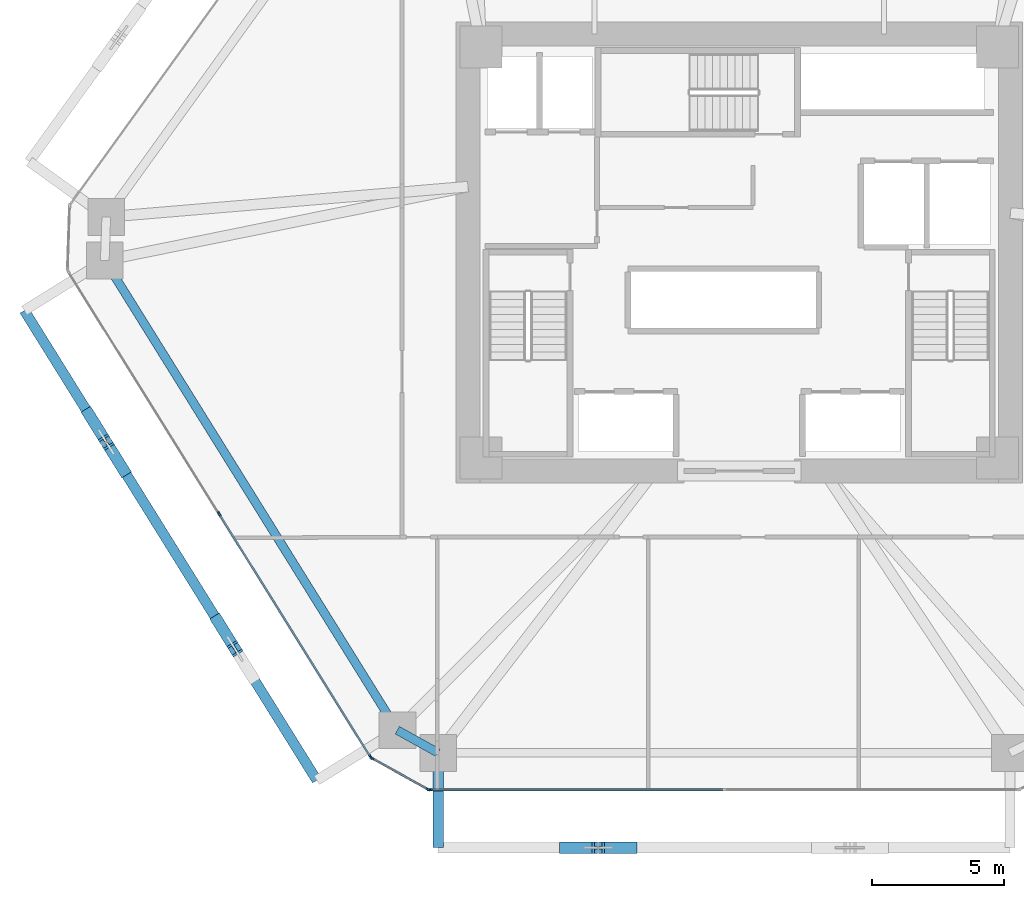
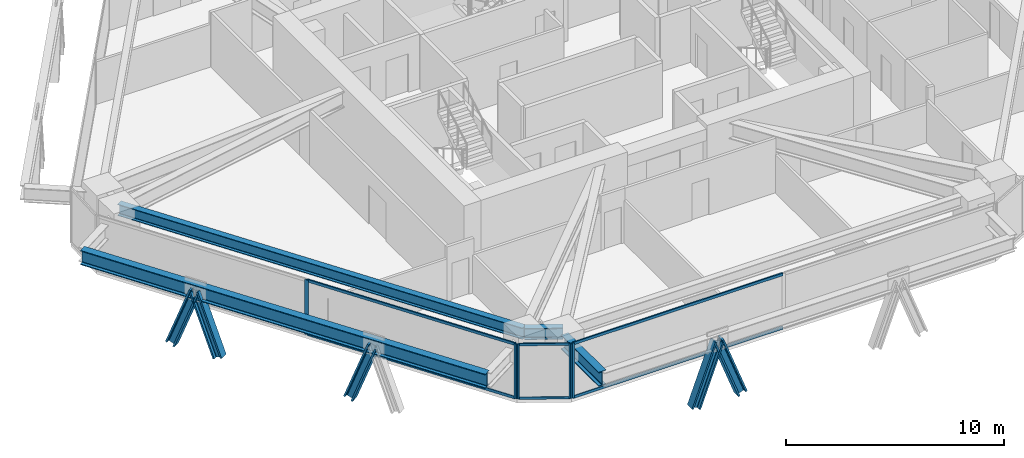
# One storey, part 2 of 17: 16 members, 4 beams, 3 elements without a shape of their own.
"""IFC4 building model written with IfcOpenShell, lengths in metres."""

from ifc_helpers import new_model, si_unit, direction, frame, origin, origin_2d, place, context, subcontext, project, spatial, rectangle, i_section, extrude, source, transform, mapped, material, layer, layer_set, material_profile, profile_set, type_object, type_shapes, element, aggregate, save


model = new_model("IFC4")

# Units and contexts
model_context = context("Model", 3, precision=1e-05, world=origin(), true_north=direction((0.0, 1.0)))
body_context = subcontext(model_context, "Body", "Model", "MODEL_VIEW")
ifc_project = project(units=[si_unit("LENGTHUNIT", "METRE"), si_unit("AREAUNIT", "SQUARE_METRE"), si_unit("VOLUMEUNIT", "CUBIC_METRE"), si_unit("PLANEANGLEUNIT", "RADIAN"), si_unit("MASSUNIT", "GRAM", prefix="KILO")], contexts=[model_context])

# Site, building, storey
site_placement = place(None, origin())
site = spatial("IfcSite", under=ifc_project, at=site_placement, CompositionType="ELEMENT")
building_placement = place(site_placement, origin())
building = spatial("IfcBuilding", under=site, at=building_placement, Name="Durnholm Broadcast Tower", CompositionType="ELEMENT")
storey_placement = place(building_placement, frame((0.0, 0.0, 58.800048828125)))
storey = spatial("IfcBuildingStorey", under=building, at=storey_placement, Name="L14", CompositionType="ELEMENT", Elevation=58.800048828125)

# Beams
ifc_material_1 = material(Name="Steel ASTM A992 Grade 50", Category="steel")
ifc_material_profile_1 = material_profile(ifc_material_1, i_section(OverallWidth=0.3291015625, OverallDepth=0.635009765625, WebThickness=0.017822265625, FlangeThickness=0.031005859375, FilletRadius=0.02783203125, at=origin_2d()), Name="W24X162")
ifc_profile_set_1 = profile_set([ifc_material_profile_1], Name="Steel ASTM A992 Grade 50")
beam_type_1 = type_object("IfcBeamType", Name="STL-SP-W24X162", PredefinedType="SPANDREL", material=ifc_profile_set_1)
shared_shape_1 = source(origin(), body_context, "Body", "SweptSolid", [
    extrude(i_section(OverallWidth=0.3291015625, OverallDepth=0.635009765625, WebThickness=0.017822265625, FlangeThickness=0.031005859375, FilletRadius=0.02783203125, at=origin_2d()), origin(), (0.0, 0.0, 1.0), 21.014404296875),
])
beam_1_placement = place(storey_placement, frame((-12.982666015625, -18.138427734375, 2.7275390625), z_axis=(-0.528595731543, 0.848873696491, 0.0), x_axis=(-0.848873696491, -0.528595731543, 0.0)))
element("IfcBeam", 1, at=beam_1_placement, inside=storey, type_object=beam_type_1, Name="L14 perimeter spandrel girder 01", PredefinedType="SPANDREL", context=body_context, shape_type="MappedRepresentation", body=[
    mapped(shared_shape_1, transform((0.0, 0.0, 0.0), x_axis=(1.0, 0.0, 0.0), y_axis=(0.0, 1.0, 0.0), z_axis=(0.0, 0.0, 1.0), scale=1.0)),
])
shared_shape_2 = source(origin(), body_context, "Body", "SweptSolid", [
    extrude(i_section(OverallWidth=0.3291015625, OverallDepth=0.635009765625, WebThickness=0.017822265625, FlangeThickness=0.031005859375, FilletRadius=0.02783203125, at=origin_2d()), origin(), (0.0, 0.0, 1.0), 1.774658203125),
])
type_shapes(beam_type_1, [shared_shape_1, shared_shape_2])
beam_2_placement = place(storey_placement, frame((-11.43115234375, -19.0, 2.7275390625), z_axis=(-0.874248107979, 0.485479397806, 0.0), x_axis=(-0.485479397806, -0.874248107979, 0.0)))
element("IfcBeam", 2, at=beam_2_placement, inside=storey, type_object=beam_type_1, Name="L14 perimeter spandrel girder 12", PredefinedType="SPANDREL", context=body_context, shape_type="MappedRepresentation", body=[
    mapped(shared_shape_2, transform((0.0, 0.0, 0.0), x_axis=(1.0, 0.0, 0.0), y_axis=(0.0, 1.0, 0.0), z_axis=(0.0, 0.0, 1.0), scale=1.0)),
])
ifc_material_profile_2 = material_profile(ifc_material_1, i_section(OverallWidth=0.385009765625, OverallDepth=0.802978515625, WebThickness=0.023681640625, FlangeThickness=0.0419921875, FilletRadius=0.032958984375, at=origin_2d()), Name="W30X261")
ifc_profile_set_2 = profile_set([ifc_material_profile_2], Name="Steel ASTM A992 Grade 50")
beam_type_2 = type_object("IfcBeamType", Name="BM-EXO-TIE", PredefinedType="USERDEFINED", material=ifc_profile_set_2)
shared_shape_3 = source(origin(), body_context, "Body", "SweptSolid", [
    extrude(i_section(OverallWidth=0.385009765625, OverallDepth=0.802978515625, WebThickness=0.023681640625, FlangeThickness=0.0419921875, FilletRadius=0.032958984375, at=origin_2d()), origin(), (0.0, 0.0, 1.0), 3.4560546875),
])
beam_3_placement = place(storey_placement, frame((-11.43115234375, -19.14404296875, 2.30859375), z_axis=(0.0, -1.0, 0.0), x_axis=(1.0, 0.0, 0.0)))
element("IfcBeam", 3, at=beam_3_placement, inside=storey, type_object=beam_type_2, Name="L14 exoskeleton stand-off tie bracket F1.1", ObjectType="GIRDER", PredefinedType="USERDEFINED", context=body_context, shape_type="MappedRepresentation", body=[
    mapped(shared_shape_3, transform((0.0, 0.0, 0.0), x_axis=(1.0, 0.0, 0.0), y_axis=(0.0, 1.0, 0.0), z_axis=(0.0, 0.0, 1.0), scale=1.0)),
])
shared_shape_4 = source(origin(), body_context, "Body", "SweptSolid", [
    extrude(i_section(OverallWidth=0.385009765625, OverallDepth=0.802978515625, WebThickness=0.023681640625, FlangeThickness=0.0419921875, FilletRadius=0.032958984375, at=origin_2d()), origin(), (0.0, 0.0, 1.0), 21.0146484375),
])
type_shapes(beam_type_2, [shared_shape_3, shared_shape_4])
beam_4_placement = place(storey_placement, frame((-27.146728515625, -2.20263671875, 2.30859375), z_axis=(0.528590518575, -0.848876942597, 0.0), x_axis=(0.848876942597, 0.528590518575, 0.0)))
element("IfcBeam", 4, at=beam_4_placement, inside=storey, type_object=beam_type_2, Name="L14 exoskeleton collector spandrel F6", PredefinedType="SPANDREL", context=body_context, shape_type="MappedRepresentation", body=[
    mapped(shared_shape_4, transform((0.0, 0.0, 0.0), x_axis=(1.0, 0.0, 0.0), y_axis=(0.0, 1.0, 0.0), z_axis=(0.0, 0.0, 1.0), scale=1.0)),
])

# Members
ifc_material_2 = material(Name="Steel ASTM A913 Grade 65", Category="steel")
ifc_material_profile_3 = material_profile(ifc_material_2, i_section(OverallWidth=0.43212890625, OverallDepth=0.497802734375, WebThickness=0.0556640625, FlangeThickness=0.0888671875, FilletRadius=0.030517578125, at=origin_2d()), Name="W14X500")
ifc_profile_set_3 = profile_set([ifc_material_profile_3], Name="Steel ASTM A913 Grade 65")
member_type_1 = type_object("IfcMemberType", Name="STL-DG-W14X500", PredefinedType="BRACE", material=ifc_profile_set_3)
shared_shape_5 = source(origin(), body_context, "Body", "SweptSolid", [
    extrude(i_section(OverallWidth=0.43212890625, OverallDepth=0.497802734375, WebThickness=0.0556640625, FlangeThickness=0.0888671875, FilletRadius=0.030517578125, at=origin_2d()), origin(), (0.0, 0.0, 1.0), 3.523193359375),
])
type_shapes(member_type_1, [shared_shape_5])
for number, where, z_axis, x_axis, name in (
    (5, (-6.585205078125, -22.60009765625, -0.991455078125), (0.350219588454, 0.0, 0.936667625075), (0.0, 1.0, 0.0), "L14 stand-off diagrid brace F1.D1.1"),
    (6, (-4.117431640625, -22.60009765625, -0.991455078125), (-0.350219588454, 0.0, 0.936667625075), (0.0, -1.0, 0.0), "L14 stand-off diagrid brace F1.D1.2"),
    (7, (-24.688720703125, -6.150146484375, -0.991455078125), (0.185157304084, -0.297277258428, 0.936665897941), (0.848819847179, 0.528682198523, 0.0), "L14 stand-off diagrid brace F6.D1.1"),
    (8, (-23.38427734375, -8.244873046875, -0.991455078125), (-0.185090383068, 0.297281072018, 0.936677913861), (-0.848908635391, -0.528539618911, 0.0), "L14 stand-off diagrid brace F6.D1.2"),
    (9, (-19.801025390625, -13.9990234375, -0.991455078125), (0.185090383068, -0.297281072018, 0.936677913861), (0.848908635391, 0.528539618911, 0.0), "L14 stand-off diagrid brace F6.D2.1"),
):
    element("IfcMember", number, at=place(storey_placement, frame(where, z_axis=z_axis, x_axis=x_axis)), inside=storey, type_object=member_type_1, Name=name, PredefinedType="BRACE", context=body_context, shape_type="MappedRepresentation", body=[
        mapped(shared_shape_5, transform((0.0, 0.0, 0.0), x_axis=(1.0, 0.0, 0.0), y_axis=(0.0, 1.0, 0.0), z_axis=(0.0, 0.0, 1.0), scale=1.0)),
    ])

# Curtain wall, members
ifc_material_3 = material(Name="Aluminium and Solar Control IGU", Category="aluminium")
ifc_layer_1 = layer(ifc_material_3, 0.1650390625)
ifc_layer_set_1 = layer_set([ifc_layer_1], Name="Aluminium and Solar Control IGU")
curtain_wall_type_1 = type_object("IfcCurtainWallType", Name="CW-SYS-5", PredefinedType="NOTDEFINED", material=ifc_layer_set_1)
curtain_wall_1_placement = place(storey_placement, origin())
curtain_wall_1 = element("IfcCurtainWall", 10, at=curtain_wall_1_placement, inside=storey, type_object=curtain_wall_type_1, Name="L14 curtain wall CW-CORNER CW-L14-CRN-11", PredefinedType="NOTDEFINED")
ifc_material_4 = material(Name="Aluminium 6063-T6", Category="aluminium")
ifc_material_profile_4 = material_profile(ifc_material_4, rectangle(XDim=0.06494140625, YDim=0.1650390625, at=origin_2d()), Name="CWM65X165")
ifc_profile_set_4 = profile_set([ifc_material_profile_4], Name="Aluminium 6063-T6")
member_type_2 = type_object("IfcMemberType", Name="CW-SYS-5-MUL", PredefinedType="MULLION", material=ifc_profile_set_4)
shared_shape_6 = source(origin(), body_context, "Body", "SweptSolid", [
    extrude(rectangle(XDim=0.06494140625, YDim=0.1650390625, at=origin_2d()), origin(), (0.0, 0.0, 1.0), 3.06005859375),
])
type_shapes(member_type_2, [shared_shape_6])
member_1_placement = place(storey_placement, frame((-11.822265625, -20.38427734375, 0.0), z_axis=(0.0, 0.0, 1.0), x_axis=(-0.485483299359, -0.874245941394, 0.0)))
member_1 = element("IfcMember", 11, at=member_1_placement, type_object=member_type_2, Name="CW-CORNER mullion 1", PredefinedType="MULLION", context=body_context, shape_type="MappedRepresentation", body=[
    mapped(shared_shape_6, transform((0.0, 0.0, 0.0), x_axis=(1.0, 0.0, 0.0), y_axis=(0.0, 1.0, 0.0), z_axis=(0.0, 0.0, 1.0), scale=1.0)),
])
member_2_placement = place(storey_placement, frame((-13.950927734375, -19.2021484375, 0.0), z_axis=(0.0, 0.0, 1.0), x_axis=(-0.485483299359, -0.874245941394, 0.0)))
member_2 = element("IfcMember", 12, at=member_2_placement, type_object=member_type_2, Name="CW-CORNER mullion 2", PredefinedType="MULLION", context=body_context, shape_type="MappedRepresentation", body=[
    mapped(shared_shape_6, transform((0.0, 0.0, 0.0), x_axis=(1.0, 0.0, 0.0), y_axis=(0.0, 1.0, 0.0), z_axis=(0.0, 0.0, 1.0), scale=1.0)),
])
ifc_material_profile_5 = material_profile(ifc_material_4, rectangle(XDim=0.06494140625, YDim=0.1298828125, at=origin_2d()), Name="CWT65X130")
ifc_profile_set_5 = profile_set([ifc_material_profile_5], Name="Aluminium 6063-T6")
member_type_3 = type_object("IfcMemberType", Name="CW-SYS-5-TRN", PredefinedType="USERDEFINED", material=ifc_profile_set_5)
shared_shape_7 = source(origin(), body_context, "Body", "SweptSolid", [
    extrude(rectangle(XDim=0.06494140625, YDim=0.1298828125, at=origin_2d()), origin(), (0.0, 0.0, 1.0), 2.3701171875),
])
type_shapes(member_type_3, [shared_shape_7])
member_3_placement = place(storey_placement, frame((-11.8505859375, -20.368408203125, 0.032470703125), z_axis=(-0.874244723151, 0.485485493132, 0.0), x_axis=(-0.485485493132, -0.874244723151, 0.0)))
member_3 = element("IfcMember", 13, at=member_3_placement, type_object=member_type_3, Name="CW-CORNER transom 1.1", ObjectType="TRANSOM", PredefinedType="USERDEFINED", context=body_context, shape_type="MappedRepresentation", body=[
    mapped(shared_shape_7, transform((0.0, 0.0, 0.0), x_axis=(1.0, 0.0, 0.0), y_axis=(0.0, 1.0, 0.0), z_axis=(0.0, 0.0, 1.0), scale=1.0)),
])
member_4_placement = place(storey_placement, frame((-11.8505859375, -20.368408203125, 3.02734375), z_axis=(-0.874244723151, 0.485485493132, 0.0), x_axis=(-0.485485493132, -0.874244723151, 0.0)))
member_4 = element("IfcMember", 14, at=member_4_placement, type_object=member_type_3, Name="CW-CORNER transom 1.2", ObjectType="TRANSOM", PredefinedType="USERDEFINED", context=body_context, shape_type="MappedRepresentation", body=[
    mapped(shared_shape_7, transform((0.0, 0.0, 0.0), x_axis=(1.0, 0.0, 0.0), y_axis=(0.0, 1.0, 0.0), z_axis=(0.0, 0.0, 1.0), scale=1.0)),
])
aggregate(curtain_wall_1, [member_1, member_2, member_3, member_4])

# Curtain wall, member
ifc_layer_2 = layer(ifc_material_3, 0.18994140625)
ifc_layer_set_2 = layer_set([ifc_layer_2], Name="Aluminium and Solar Control IGU")
curtain_wall_type_2 = type_object("IfcCurtainWallType", Name="CW-SYS-3", PredefinedType="NOTDEFINED", material=ifc_layer_set_2)
curtain_wall_2_placement = place(storey_placement, origin())
curtain_wall_2 = element("IfcCurtainWall", 15, at=curtain_wall_2_placement, inside=storey, type_object=curtain_wall_type_2, Name="L14 curtain wall CW-Z12-VIS CW-L14-F10", PredefinedType="NOTDEFINED")
ifc_material_profile_6 = material_profile(ifc_material_4, rectangle(XDim=0.070068359375, YDim=0.18994140625, at=origin_2d()), Name="CWM70X190")
ifc_profile_set_6 = profile_set([ifc_material_profile_6], Name="Aluminium 6063-T6")
member_type_4 = type_object("IfcMemberType", Name="CW-SYS-3-MUL", PredefinedType="MULLION", material=ifc_profile_set_6)
shared_shape_8 = source(origin(), body_context, "Body", "SweptSolid", [
    extrude(rectangle(XDim=0.070068359375, YDim=0.18994140625, at=origin_2d()), origin(), (0.0, 0.0, 1.0), 3.06005859375),
])
type_shapes(member_type_4, [shared_shape_8])
member_5_placement = place(storey_placement, frame((-11.7587890625, -20.39990234375, 0.0), z_axis=(0.0, 0.0, 1.0), x_axis=(0.0, -1.0, 0.0)))
member_5 = element("IfcMember", 16, at=member_5_placement, type_object=member_type_4, Name="CW-Z12-VIS mullion 3", PredefinedType="MULLION", context=body_context, shape_type="MappedRepresentation", body=[
    mapped(shared_shape_8, transform((0.0, 0.0, 0.0), x_axis=(1.0, 0.0, 0.0), y_axis=(0.0, 1.0, 0.0), z_axis=(0.0, 0.0, 1.0), scale=1.0)),
])

# Curtain wall, members
curtain_wall_3_placement = place(storey_placement, origin())
curtain_wall_3 = element("IfcCurtainWall", 17, at=curtain_wall_3_placement, inside=storey, type_object=curtain_wall_type_2, Name="L14 curtain wall CW-Z12-VIS CW-L14-F12", PredefinedType="NOTDEFINED")
member_6_placement = place(storey_placement, frame((-13.997802734375, -19.156494140625, 0.0), z_axis=(0.0, 0.0, 1.0), x_axis=(-0.848875785503, -0.528592376777, 0.0)))
member_6 = element("IfcMember", 18, at=member_6_placement, type_object=member_type_4, Name="CW-Z12-VIS mullion 1", PredefinedType="MULLION", context=body_context, shape_type="MappedRepresentation", body=[
    mapped(shared_shape_8, transform((0.0, 0.0, 0.0), x_axis=(1.0, 0.0, 0.0), y_axis=(0.0, 1.0, 0.0), z_axis=(0.0, 0.0, 1.0), scale=1.0)),
])
member_7_placement = place(storey_placement, frame((-19.741943359375, -9.93212890625, 0.0), z_axis=(0.0, 0.0, 1.0), x_axis=(-0.848875785503, -0.528592376777, 0.0)))
member_7 = element("IfcMember", 19, at=member_7_placement, type_object=member_type_4, Name="CW-Z12-VIS mullion 2", PredefinedType="MULLION", context=body_context, shape_type="MappedRepresentation", body=[
    mapped(shared_shape_8, transform((0.0, 0.0, 0.0), x_axis=(1.0, 0.0, 0.0), y_axis=(0.0, 1.0, 0.0), z_axis=(0.0, 0.0, 1.0), scale=1.0)),
])
ifc_material_profile_7 = material_profile(ifc_material_4, rectangle(XDim=0.070068359375, YDim=0.14990234375, at=origin_2d()), Name="CWT70X150")
ifc_profile_set_7 = profile_set([ifc_material_profile_7], Name="Aluminium 6063-T6")
member_type_5 = type_object("IfcMemberType", Name="CW-SYS-3-TRN", PredefinedType="USERDEFINED", material=ifc_profile_set_7)
shared_shape_9 = source(origin(), body_context, "Body", "SweptSolid", [
    extrude(rectangle(XDim=0.070068359375, YDim=0.14990234375, at=origin_2d()), origin(), (0.0, 0.0, 1.0), 10.796630859375),
])
member_8_placement = place(storey_placement, frame((-14.016357421875, -19.126953125, 0.034912109375), z_axis=(-0.528591657678, 0.848876233283, 0.0), x_axis=(-0.848876233283, -0.528591657678, 0.0)))
member_8 = element("IfcMember", 20, at=member_8_placement, type_object=member_type_5, Name="CW-Z12-VIS transom 1.1", ObjectType="TRANSOM", PredefinedType="USERDEFINED", context=body_context, shape_type="MappedRepresentation", body=[
    mapped(shared_shape_9, transform((0.0, 0.0, 0.0), x_axis=(1.0, 0.0, 0.0), y_axis=(0.0, 1.0, 0.0), z_axis=(0.0, 0.0, 1.0), scale=1.0)),
])
member_9_placement = place(storey_placement, frame((-14.016357421875, -19.126953125, 3.02490234375), z_axis=(-0.528591657678, 0.848876233283, 0.0), x_axis=(-0.848876233283, -0.528591657678, 0.0)))
member_9 = element("IfcMember", 21, at=member_9_placement, type_object=member_type_5, Name="CW-Z12-VIS transom 1.2", ObjectType="TRANSOM", PredefinedType="USERDEFINED", context=body_context, shape_type="MappedRepresentation", body=[
    mapped(shared_shape_9, transform((0.0, 0.0, 0.0), x_axis=(1.0, 0.0, 0.0), y_axis=(0.0, 1.0, 0.0), z_axis=(0.0, 0.0, 1.0), scale=1.0)),
])
aggregate(curtain_wall_3, [member_6, member_7, member_8, member_9])

# Member
shared_shape_10 = source(origin(), body_context, "Body", "SweptSolid", [
    extrude(rectangle(XDim=0.070068359375, YDim=0.14990234375, at=origin_2d()), origin(), (0.0, 0.0, 1.0), 11.10205078125),
])
type_shapes(member_type_5, [shared_shape_9, shared_shape_10])
member_10_placement = place(storey_placement, frame((-0.621826171875, -20.39990234375, 0.034912109375), z_axis=(-1.0, 0.0, 0.0), x_axis=(0.0, -1.0, 0.0)))
member_10 = element("IfcMember", 22, at=member_10_placement, type_object=member_type_5, Name="CW-Z12-VIS transom 2.1", ObjectType="TRANSOM", PredefinedType="USERDEFINED", context=body_context, shape_type="MappedRepresentation", body=[
    mapped(shared_shape_10, transform((0.0, 0.0, 0.0), x_axis=(1.0, 0.0, 0.0), y_axis=(0.0, 1.0, 0.0), z_axis=(0.0, 0.0, 1.0), scale=1.0)),
])

member_11_placement = place(storey_placement, frame((-0.621826171875, -20.39990234375, 3.02490234375), z_axis=(-1.0, 0.0, 0.0), x_axis=(0.0, -1.0, 0.0)))
member_11 = element("IfcMember", 23, at=member_11_placement, type_object=member_type_5, Name="CW-Z12-VIS transom 2.2", ObjectType="TRANSOM", PredefinedType="USERDEFINED", context=body_context, shape_type="MappedRepresentation", body=[
    mapped(shared_shape_10, transform((0.0, 0.0, 0.0), x_axis=(1.0, 0.0, 0.0), y_axis=(0.0, 1.0, 0.0), z_axis=(0.0, 0.0, 1.0), scale=1.0)),
])

aggregate(curtain_wall_2, [member_5, member_10, member_11])

save(model, "model.ifc")
